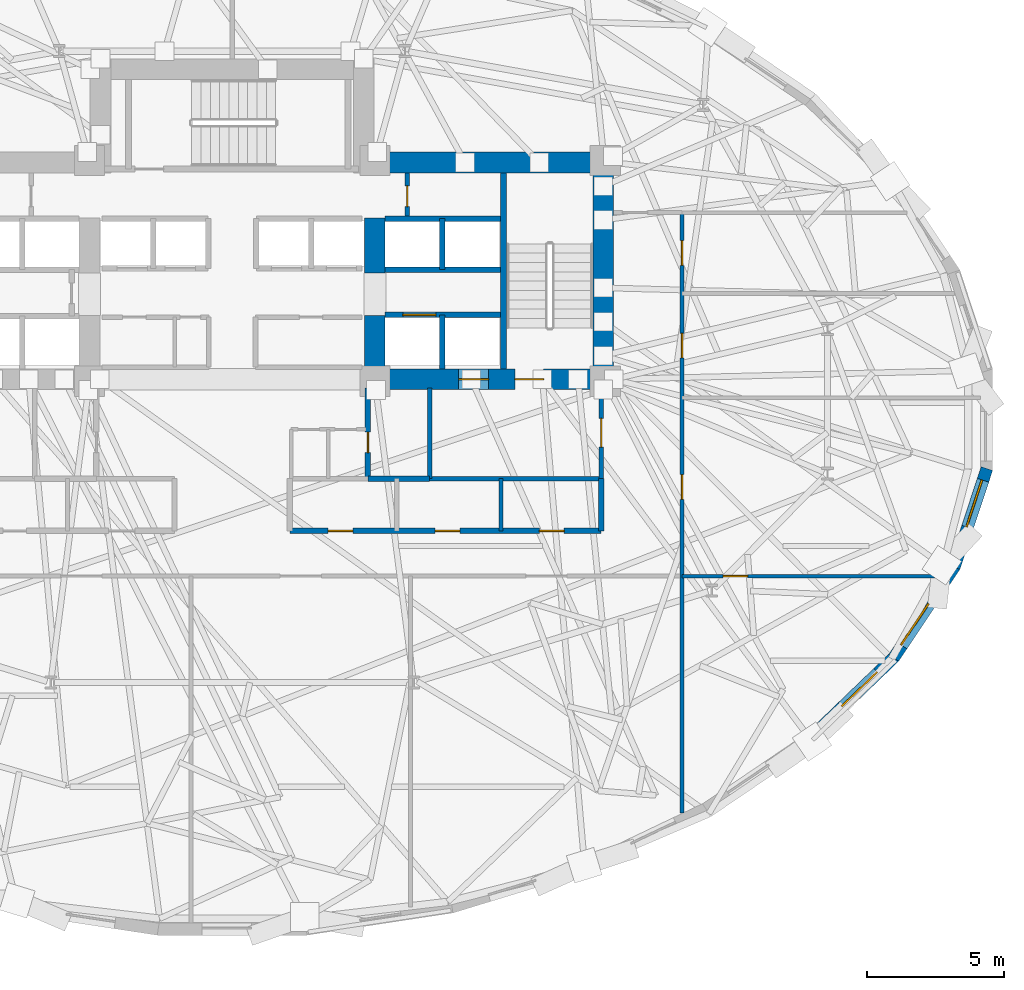
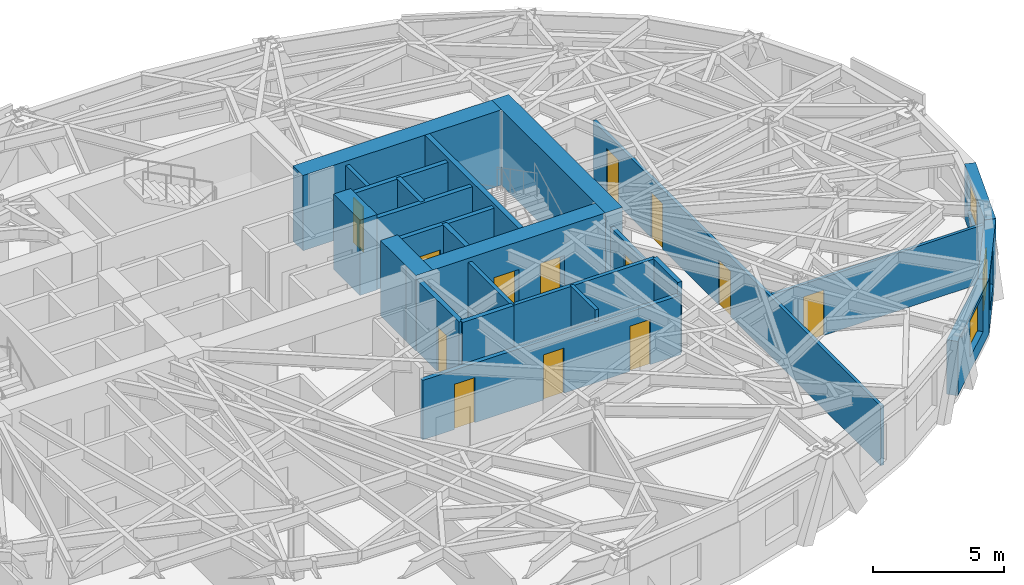
# One storey, part 9 of 15: 25 walls, 13 doors, 3 windows, 16 openings.
"""IFC4 building model written with IfcOpenShell, lengths in metres."""

from ifc_helpers import new_model, si_unit, direction, frame, frame_2d, origin, place, context, subcontext, project, spatial, rectangle, extrude, material, layer, layer_set, type_object, element, fill, save


model = new_model("IFC4")

# Units and contexts
model_context = context("Model", 3, precision=1e-05, world=origin(), true_north=direction((0.0, 1.0)))
body_context = subcontext(model_context, "Body", "Model", "MODEL_VIEW")
ifc_project = project(units=[si_unit("LENGTHUNIT", "METRE"), si_unit("AREAUNIT", "SQUARE_METRE"), si_unit("VOLUMEUNIT", "CUBIC_METRE"), si_unit("PLANEANGLEUNIT", "RADIAN"), si_unit("MASSUNIT", "GRAM", prefix="KILO")], contexts=[model_context])

# Site, building, storey
site_placement = place(None, origin())
site = spatial("IfcSite", under=ifc_project, at=site_placement, CompositionType="ELEMENT")
building_placement = place(site_placement, origin())
building = spatial("IfcBuilding", under=site, at=building_placement, Name="Keldmark Tower", CompositionType="ELEMENT")
storey_placement = place(building_placement, frame((0.0, 0.0, 110.60009765625)))
storey = spatial("IfcBuildingStorey", under=building, at=storey_placement, Name="L29", CompositionType="ELEMENT", Elevation=110.60009765625)

# Wall, openings, doors
ifc_material_1 = material(Name="Acoustic Double-Layer Gypsum Corridor Partition", Category="gypsum")
ifc_layer_1 = layer(ifc_material_1, 0.139892578125)
ifc_layer_set_1 = layer_set([ifc_layer_1], Name="Acoustic Double-Layer Gypsum Corridor Partition")
wall_type_1 = type_object("IfcWallType", Name="Acoustic Corridor Partition 140 mm", PredefinedType="PARTITIONING", material=ifc_layer_set_1)
wall_1_placement = place(storey_placement, frame((16.39990234375, -14.340576171875, 0.0), z_axis=(0.0, 0.0, 1.0), x_axis=(0.0, 1.0, 0.0)))
wall_1 = element("IfcWall", 1, at=wall_1_placement, inside=storey, type_object=wall_type_1, Name="L29 Acoustic Corridor Partition 140 mm COR-E", PredefinedType="PARTITIONING", context=body_context, shape_type="SweptSolid", body=[
    extrude(rectangle(XDim=21.890625, YDim=0.139892578125, at=frame_2d((10.9453125, 0.0))), origin(), (0.0, 0.0, 1.0), 2.762939453125),
])
opening_1_placement = place(wall_1_placement, frame((11.4404296875, 0.0, 0.0)))
opening_1 = element("IfcOpeningElement", 2, at=opening_1_placement, cuts=wall_1, Name="Opening D-IN090", PredefinedType="OPENING", context=body_context, shape_type="SweptSolid", body=[
    extrude(rectangle(XDim=0.89990234375, YDim=2.10009765625, at=frame_2d((0.449951171875, 1.050048828125))), frame((0.0, 0.079833984375, 0.0), z_axis=(0.0, -1.0, 0.0), x_axis=(1.0, 0.0, 0.0)), (0.0, 0.0, 1.0), 0.159912109375),
])
opening_2_placement = place(wall_1_placement, frame((16.59033203125, 0.0, 0.0)))
opening_2 = element("IfcOpeningElement", 3, at=opening_2_placement, cuts=wall_1, Name="Opening D-IN090", PredefinedType="OPENING", context=body_context, shape_type="SweptSolid", body=[
    extrude(rectangle(XDim=0.89990234375, YDim=2.10009765625, at=frame_2d((0.449951171875, 1.050048828125))), frame((0.0, 0.079833984375, 0.0), z_axis=(0.0, -1.0, 0.0), x_axis=(1.0, 0.0, 0.0)), (0.0, 0.0, 1.0), 0.159912109375),
])
opening_3_placement = place(wall_1_placement, frame((19.96533203125, 0.0, 0.0)))
opening_3 = element("IfcOpeningElement", 4, at=opening_3_placement, cuts=wall_1, Name="Opening D-IN090", PredefinedType="OPENING", context=body_context, shape_type="SweptSolid", body=[
    extrude(rectangle(XDim=0.89990234375, YDim=2.10009765625, at=frame_2d((0.449951171875, 1.050048828125))), frame((0.0, 0.079833984375, 0.0), z_axis=(0.0, -1.0, 0.0), x_axis=(1.0, 0.0, 0.0)), (0.0, 0.0, 1.0), 0.159912109375),
])
ifc_material_2 = material(Name="Stained American White Oak Veneer", Category="wood")
door_type_1 = type_object("IfcDoorType", Name="Interior Door 900x2100", OperationType="NOTDEFINED", PredefinedType="DOOR", material=ifc_material_2)
door_1_placement = place(opening_1_placement, origin())
door_1 = element("IfcDoor", 5, at=door_1_placement, inside=storey, type_object=door_type_1, Name="L29 Interior Door 900x2100 D-ER-1-L29", OperationType="SINGLE_SWING_RIGHT", OverallHeight=2.10009765625, OverallWidth=0.89990234375, PredefinedType="DOOR", context=body_context, shape_type="SweptSolid", body=[
    extrude(rectangle(XDim=0.89990234375, YDim=2.10009765625, at=frame_2d((0.449951171875, 1.050048828125))), frame((0.0, 0.02490234375, 0.0), z_axis=(0.0, -1.0, 0.0), x_axis=(1.0, 0.0, 0.0)), (0.0, 0.0, 1.0), 0.050048828125),
])
fill(opening_1, door_1)
door_2_placement = place(opening_2_placement, origin())
door_2 = element("IfcDoor", 6, at=door_2_placement, inside=storey, type_object=door_type_1, Name="L29 Interior Door 900x2100 D-ER-2-L29", OperationType="SINGLE_SWING_LEFT", OverallHeight=2.10009765625, OverallWidth=0.89990234375, PredefinedType="DOOR", context=body_context, shape_type="SweptSolid", body=[
    extrude(rectangle(XDim=0.89990234375, YDim=2.10009765625, at=frame_2d((0.449951171875, 1.050048828125))), frame((0.0, 0.02490234375, 0.0), z_axis=(0.0, -1.0, 0.0), x_axis=(1.0, 0.0, 0.0)), (0.0, 0.0, 1.0), 0.050048828125),
])
fill(opening_2, door_2)
door_3_placement = place(opening_3_placement, origin())
door_3 = element("IfcDoor", 7, at=door_3_placement, inside=storey, type_object=door_type_1, Name="L29 Interior Door 900x2100 D-ER-3-L29", OperationType="SINGLE_SWING_RIGHT", OverallHeight=2.10009765625, OverallWidth=0.89990234375, PredefinedType="DOOR", context=body_context, shape_type="SweptSolid", body=[
    extrude(rectangle(XDim=0.89990234375, YDim=2.10009765625, at=frame_2d((0.449951171875, 1.050048828125))), frame((0.0, 0.02490234375, 0.0), z_axis=(0.0, -1.0, 0.0), x_axis=(1.0, 0.0, 0.0)), (0.0, 0.0, 1.0), 0.050048828125),
])
fill(opening_3, door_3)

ifc_material_3 = material(Name="Heavy Acoustic Plumbing Chase Gypsum Assembly", Category="gypsum")
ifc_layer_2 = layer(ifc_material_3, 0.18994140625)
ifc_layer_set_2 = layer_set([ifc_layer_2], Name="Heavy Acoustic Plumbing Chase Gypsum Assembly")
wall_type_2 = type_object("IfcWallType", Name="Heavy Wet Wall 190 mm", PredefinedType="PLUMBINGWALL", material=ifc_layer_set_2)
wall_2_placement = place(storey_placement, frame((2.10009765625, -4.050048828125, 0.0), z_axis=(0.0, 0.0, 1.0), x_axis=(1.0, 0.0, 0.0)))
wall_2 = element("IfcWall", 8, at=wall_2_placement, inside=storey, type_object=wall_type_2, Name="L29 Heavy Wet Wall 190 mm SPK-E-S", PredefinedType="PLUMBINGWALL", context=body_context, shape_type="SweptSolid", body=[
    extrude(rectangle(XDim=11.349853515625, YDim=0.18994140625, at=frame_2d((5.6748046875, 0.0))), origin(), (0.0, 0.0, 1.0), 2.762939453125),
])
opening_4_placement = place(wall_2_placement, frame((1.39990234375, 0.0, 0.0)))
opening_4 = element("IfcOpeningElement", 9, at=opening_4_placement, cuts=wall_2, Name="Opening D-IN090", PredefinedType="OPENING", context=body_context, shape_type="SweptSolid", body=[
    extrude(rectangle(XDim=0.89990234375, YDim=2.10009765625, at=frame_2d((0.449951171875, 1.050048828125))), frame((0.0, 0.10498046875, 0.0), z_axis=(0.0, -1.0, 0.0), x_axis=(1.0, 0.0, 0.0)), (0.0, 0.0, 1.0), 0.2099609375),
])
opening_5_placement = place(wall_2_placement, frame((5.300048828125, 0.0, 0.0)))
opening_5 = element("IfcOpeningElement", 10, at=opening_5_placement, cuts=wall_2, Name="Opening D-IN090", PredefinedType="OPENING", context=body_context, shape_type="SweptSolid", body=[
    extrude(rectangle(XDim=0.89990234375, YDim=2.10009765625, at=frame_2d((0.449951171875, 1.050048828125))), frame((0.0, 0.10498046875, 0.0), z_axis=(0.0, -1.0, 0.0), x_axis=(1.0, 0.0, 0.0)), (0.0, 0.0, 1.0), 0.2099609375),
])
opening_6_placement = place(wall_2_placement, frame((9.10009765625, 0.0, 0.0)))
opening_6 = element("IfcOpeningElement", 11, at=opening_6_placement, cuts=wall_2, Name="Opening D-IN090", PredefinedType="OPENING", context=body_context, shape_type="SweptSolid", body=[
    extrude(rectangle(XDim=0.89990234375, YDim=2.10009765625, at=frame_2d((0.449951171875, 1.050048828125))), frame((0.0, 0.10498046875, 0.0), z_axis=(0.0, -1.0, 0.0), x_axis=(1.0, 0.0, 0.0)), (0.0, 0.0, 1.0), 0.2099609375),
])
door_4_placement = place(opening_4_placement, origin())
door_4 = element("IfcDoor", 12, at=door_4_placement, inside=storey, type_object=door_type_1, Name="L29 Interior Door 900x2100 D-SPKE1-L29", OperationType="SINGLE_SWING_RIGHT", OverallHeight=2.10009765625, OverallWidth=0.89990234375, PredefinedType="DOOR", context=body_context, shape_type="SweptSolid", body=[
    extrude(rectangle(XDim=0.89990234375, YDim=2.10009765625, at=frame_2d((0.449951171875, 1.050048828125))), frame((0.0, 0.02490234375, 0.0), z_axis=(0.0, -1.0, 0.0), x_axis=(1.0, 0.0, 0.0)), (0.0, 0.0, 1.0), 0.050048828125),
])
fill(opening_4, door_4)
door_5_placement = place(opening_5_placement, origin())
door_5 = element("IfcDoor", 13, at=door_5_placement, inside=storey, type_object=door_type_1, Name="L29 Interior Door 900x2100 D-SPKE2-L29", OperationType="SINGLE_SWING_LEFT", OverallHeight=2.10009765625, OverallWidth=0.89990234375, PredefinedType="DOOR", context=body_context, shape_type="SweptSolid", body=[
    extrude(rectangle(XDim=0.89990234375, YDim=2.10009765625, at=frame_2d((0.449951171875, 1.050048828125))), frame((0.0, 0.02490234375, 0.0), z_axis=(0.0, -1.0, 0.0), x_axis=(1.0, 0.0, 0.0)), (0.0, 0.0, 1.0), 0.050048828125),
])
fill(opening_5, door_5)
door_6_placement = place(opening_6_placement, origin())
door_6 = element("IfcDoor", 14, at=door_6_placement, inside=storey, type_object=door_type_1, Name="L29 Interior Door 900x2100 D-SPKE3-L29", OperationType="SINGLE_SWING_RIGHT", OverallHeight=2.10009765625, OverallWidth=0.89990234375, PredefinedType="DOOR", context=body_context, shape_type="SweptSolid", body=[
    extrude(rectangle(XDim=0.89990234375, YDim=2.10009765625, at=frame_2d((0.449951171875, 1.050048828125))), frame((0.0, 0.02490234375, 0.0), z_axis=(0.0, -1.0, 0.0), x_axis=(1.0, 0.0, 0.0)), (0.0, 0.0, 1.0), 0.050048828125),
])
fill(opening_6, door_6)

# Wall
wall_3_placement = place(storey_placement, frame((13.449951171875, -4.050048828125, 0.0), z_axis=(0.0, 0.0, 1.0), x_axis=(0.0, 1.0, 0.0)))
element("IfcWall", 15, at=wall_3_placement, inside=storey, type_object=wall_type_2, Name="L29 Heavy Wet Wall 190 mm SPK-E-E", PredefinedType="PLUMBINGWALL", context=body_context, shape_type="SweptSolid", body=[
    extrude(rectangle(XDim=1.900146484375, YDim=0.18994140625, at=frame_2d((0.9501953125, 0.0))), origin(), (0.0, 0.0, 1.0), 3.309814453125),
])

# Wall, opening, door
ifc_material_4 = material(Name="Acoustic Gypsum Board Interior Partition", Category="gypsum")
ifc_layer_3 = layer(ifc_material_4, 0.1298828125)
ifc_layer_set_3 = layer_set([ifc_layer_3], Name="Acoustic Gypsum Board Interior Partition")
wall_type_3 = type_object("IfcWallType", Name="Interior Partition 130 mm", PredefinedType="PARTITIONING", material=ifc_layer_set_3)
wall_4_placement = place(storey_placement, frame((16.39990234375, -5.699951171875, 0.0), z_axis=(0.0, 0.0, 1.0), x_axis=(1.0, 0.0, 0.0)))
wall_4 = element("IfcWall", 16, at=wall_4_placement, inside=storey, type_object=wall_type_3, Name="L29 Interior Partition 130 mm E-CAP-S", PredefinedType="PARTITIONING", context=body_context, shape_type="SweptSolid", body=[
    extrude(rectangle(XDim=9.4208984375, YDim=0.1298828125, at=frame_2d((4.71044921875, 0.0))), origin(), (0.0, 0.0, 1.0), 2.68798828125),
])
opening_7_placement = place(wall_4_placement, frame((1.489990234375, 0.0, 0.0)))
opening_7 = element("IfcOpeningElement", 17, at=opening_7_placement, cuts=wall_4, Name="Opening D-IN090", PredefinedType="OPENING", context=body_context, shape_type="SweptSolid", body=[
    extrude(rectangle(XDim=0.89990234375, YDim=2.10009765625, at=frame_2d((0.449951171875, 1.050048828125))), frame((0.0, 0.074951171875, 0.0), z_axis=(0.0, -1.0, 0.0), x_axis=(1.0, 0.0, 0.0)), (0.0, 0.0, 1.0), 0.14990234375),
])
door_7_placement = place(opening_7_placement, origin())
door_7 = element("IfcDoor", 18, at=door_7_placement, inside=storey, type_object=door_type_1, Name="L29 Interior Door 900x2100 D-ERSE-L29", OperationType="SINGLE_SWING_RIGHT", OverallHeight=2.10009765625, OverallWidth=0.89990234375, PredefinedType="DOOR", context=body_context, shape_type="SweptSolid", body=[
    extrude(rectangle(XDim=0.89990234375, YDim=2.10009765625, at=frame_2d((0.449951171875, 1.050048828125))), frame((0.0, 0.02490234375, 0.0), z_axis=(0.0, -1.0, 0.0), x_axis=(1.0, 0.0, 0.0)), (0.0, 0.0, 1.0), 0.050048828125),
])
fill(opening_7, door_7)

# Walls
ifc_material_5 = material(Name="Concrete C70/85", Category="concrete")
ifc_layer_4 = layer(ifc_material_5, 0.75)
ifc_layer_set_4 = layer_set([ifc_layer_4], Name="Concrete C70/85")
wall_type_4 = type_object("IfcWallType", Name="Low-Mid Core Shear Wall 750 mm", PredefinedType="SHEAR", material=ifc_layer_set_4)
wall_5_placement = place(storey_placement, frame((13.52490234375, 1.10009765625, 0.0), z_axis=(0.0, 0.0, 1.0), x_axis=(0.0, 1.0, 0.0)))
element("IfcWall", 19, at=wall_5_placement, inside=storey, type_object=wall_type_4, Name="L29 East Core Outer Shear Wall", PredefinedType="SHEAR", context=body_context, shape_type="SweptSolid", body=[
    extrude(rectangle(XDim=8.64990234375, YDim=0.75, at=frame_2d((4.324951171875, 0.0))), origin(), (0.0, 0.0, 1.0), 3.5),
])
wall_6_placement = place(storey_placement, frame((4.425048828125, 9.375, 0.0), z_axis=(0.0, 0.0, 1.0), x_axis=(1.0, 0.0, 0.0)))
element("IfcWall", 20, at=wall_6_placement, inside=storey, type_object=wall_type_4, Name="L29 East Core North Shear Wall", PredefinedType="SHEAR", context=body_context, shape_type="SweptSolid", body=[
    extrude(rectangle(XDim=9.474853515625, YDim=0.75, at=frame_2d((4.7373046875, 0.0))), origin(), (0.0, 0.0, 1.0), 3.5),
])

# Wall, openings, doors
wall_7_placement = place(storey_placement, frame((13.89990234375, 1.47509765625, 0.0), z_axis=(0.0, 0.0, 1.0), x_axis=(-1.0, 0.0, 0.0)))
wall_7 = element("IfcWall", 21, at=wall_7_placement, inside=storey, type_object=wall_type_4, Name="L29 East Core South Shear Wall", PredefinedType="SHEAR", context=body_context, shape_type="SweptSolid", body=[
    extrude(rectangle(XDim=9.074951171875, YDim=0.75, at=frame_2d((4.53759765625, 0.0))), origin(), (0.0, 0.0, 1.0), 3.5),
])
opening_8_placement = place(wall_7_placement, frame((2.550048828125, 0.0, 0.0)))
opening_8 = element("IfcOpeningElement", 22, at=opening_8_placement, cuts=wall_7, Name="Opening D-ST105", PredefinedType="OPENING", context=body_context, shape_type="SweptSolid", body=[
    extrude(rectangle(XDim=1.050048828125, YDim=2.14990234375, at=frame_2d((0.52490234375, 1.074951171875))), frame((0.0, 0.385009765625, 0.0), z_axis=(0.0, -1.0, 0.0), x_axis=(1.0, 0.0, 0.0)), (0.0, 0.0, 1.0), 0.77001953125),
])
opening_9_placement = place(wall_7_placement, frame((4.550048828125, 0.0, 0.0)))
opening_9 = element("IfcOpeningElement", 23, at=opening_9_placement, cuts=wall_7, Name="Opening LD-110", PredefinedType="OPENING", context=body_context, shape_type="SweptSolid", body=[
    extrude(rectangle(XDim=1.10009765625, YDim=2.199951171875, at=frame_2d((0.550048828125, 1.10009765625))), frame((0.0, 0.385009765625, 0.0), z_axis=(0.0, -1.0, 0.0), x_axis=(1.0, 0.0, 0.0)), (0.0, 0.0, 1.0), 0.77001953125),
])
ifc_material_6 = material(Name="Brushed Bronze Hoistway Sliding Leaf", Category="metal")
door_type_2 = type_object("IfcDoorType", Name="Lift Landing Sliding Door 1100x2200", OperationType="SLIDING_TO_LEFT", PredefinedType="DOOR", material=ifc_material_6)
door_8_placement = place(opening_9_placement, origin())
door_8 = element("IfcDoor", 24, at=door_8_placement, inside=storey, type_object=door_type_2, Name="L29 Lift Landing Sliding Door 1100x2200 LD-EL-FS2-L29", OperationType="SLIDING_TO_LEFT", OverallHeight=2.199951171875, OverallWidth=1.10009765625, PredefinedType="DOOR", context=body_context, shape_type="SweptSolid", body=[
    extrude(rectangle(XDim=1.10009765625, YDim=2.199951171875, at=frame_2d((0.550048828125, 1.10009765625))), frame((0.0, 0.02490234375, 0.0), z_axis=(0.0, -1.0, 0.0), x_axis=(1.0, 0.0, 0.0)), (0.0, 0.0, 1.0), 0.050048828125),
])
fill(opening_9, door_8)
ifc_material_7 = material(Name="Hollow Metal Fire-Rated Door Assembly", Category="metal")
door_type_3 = type_object("IfcDoorType", Name="Stair Fire Door 1050x2150", OperationType="NOTDEFINED", PredefinedType="DOOR", material=ifc_material_7)
door_9_placement = place(opening_8_placement, origin())
door_9 = element("IfcDoor", 25, at=door_9_placement, inside=storey, type_object=door_type_3, Name="L29 Stair Fire Door 1050x2150 D-ST2-L29", OperationType="SINGLE_SWING_LEFT", OverallHeight=2.14990234375, OverallWidth=1.050048828125, PredefinedType="DOOR", context=body_context, shape_type="SweptSolid", body=[
    extrude(rectangle(XDim=1.050048828125, YDim=2.14990234375, at=frame_2d((0.52490234375, 1.074951171875))), frame((0.0, 0.02490234375, 0.0), z_axis=(0.0, -1.0, 0.0), x_axis=(1.0, 0.0, 0.0)), (0.0, 0.0, 1.0), 0.050048828125),
])
fill(opening_8, door_9)

# Walls
wall_8_placement = place(storey_placement, frame((5.199951171875, 1.10009765625, 0.0), z_axis=(0.0, 0.0, 1.0), x_axis=(0.0, 1.0, 0.0)))
element("IfcWall", 26, at=wall_8_placement, inside=storey, type_object=wall_type_4, Name="L29 East Core Inner Shear Pier South", PredefinedType="SHEAR", context=body_context, shape_type="SweptSolid", body=[
    extrude(rectangle(XDim=2.699951171875, YDim=0.75, at=frame_2d((1.35009765625, 0.0))), origin(), (0.0, 0.0, 1.0), 3.5),
])
wall_9_placement = place(storey_placement, frame((5.199951171875, 5.35009765625, 0.0), z_axis=(0.0, 0.0, 1.0), x_axis=(0.0, 1.0, 0.0)))
element("IfcWall", 27, at=wall_9_placement, inside=storey, type_object=wall_type_4, Name="L29 East Core Inner Shear Pier North", PredefinedType="SHEAR", context=body_context, shape_type="SweptSolid", body=[
    extrude(rectangle(XDim=2.0, YDim=0.75, at=frame_2d((1.0, 0.0))), origin(), (0.0, 0.0, 1.0), 3.5),
])
ifc_material_8 = material(Name="Type X Fire-Rated Gypsum Partition Assembly", Category="gypsum")
ifc_layer_5 = layer(ifc_material_8, 0.1650390625)
ifc_layer_set_5 = layer_set([ifc_layer_5], Name="Type X Fire-Rated Gypsum Partition Assembly")
wall_type_5 = type_object("IfcWallType", Name="Rated Partition 165 mm", PredefinedType="PARTITIONING", material=ifc_layer_set_5)
wall_10_placement = place(storey_placement, frame((7.199951171875, -2.14990234375, 0.0), z_axis=(0.0, 0.0, 1.0), x_axis=(1.0, 0.0, 0.0)))
element("IfcWall", 28, at=wall_10_placement, inside=storey, type_object=wall_type_5, Name="L29 Rated Partition 165 mm FSAE-E-S", PredefinedType="PARTITIONING", context=body_context, shape_type="SweptSolid", body=[
    extrude(rectangle(XDim=6.25, YDim=0.1650390625, at=frame_2d((3.125, 0.0))), origin(), (0.0, 0.0, 1.0), 3.309814453125),
])
wall_11_placement = place(storey_placement, frame((7.199951171875, -2.14990234375, 0.0), z_axis=(0.0, 0.0, 1.0), x_axis=(0.0, 1.0, 0.0)))
element("IfcWall", 29, at=wall_11_placement, inside=storey, type_object=wall_type_5, Name="L29 Rated Partition 165 mm FSAE-E-W", PredefinedType="PARTITIONING", context=body_context, shape_type="SweptSolid", body=[
    extrude(rectangle(XDim=3.2998046875, YDim=0.1650390625, at=frame_2d((1.64990234375, 0.0))), origin(), (0.0, 0.0, 1.0), 3.309814453125),
])

# Wall, opening, door
wall_12_placement = place(storey_placement, frame((13.449951171875, -2.14990234375, 0.0), z_axis=(0.0, 0.0, 1.0), x_axis=(0.0, 1.0, 0.0)))
wall_12 = element("IfcWall", 30, at=wall_12_placement, inside=storey, type_object=wall_type_5, Name="L29 Rated Partition 165 mm FSAE-E-E", PredefinedType="PARTITIONING", context=body_context, shape_type="SweptSolid", body=[
    extrude(rectangle(XDim=3.2998046875, YDim=0.1650390625, at=frame_2d((1.64990234375, 0.0))), origin(), (0.0, 0.0, 1.0), 2.762939453125),
])
opening_10_placement = place(wall_12_placement, frame((1.14990234375, 0.0, 0.0)))
opening_10 = element("IfcOpeningElement", 31, at=opening_10_placement, cuts=wall_12, Name="Opening D-FL105", PredefinedType="OPENING", context=body_context, shape_type="SweptSolid", body=[
    extrude(rectangle(XDim=1.050048828125, YDim=2.14990234375, at=frame_2d((0.52490234375, 1.074951171875))), frame((0.0, 0.092529296875, 0.0), z_axis=(0.0, -1.0, 0.0), x_axis=(1.0, 0.0, 0.0)), (0.0, 0.0, 1.0), 0.18505859375),
])
ifc_material_9 = material(Name="Fire-Rated Mineral-Core Door and Vision Lite", Category="metal")
door_type_4 = type_object("IfcDoorType", Name="Fire Lobby Door 1050x2150", OperationType="NOTDEFINED", PredefinedType="DOOR", material=ifc_material_9)
door_10_placement = place(opening_10_placement, origin())
door_10 = element("IfcDoor", 32, at=door_10_placement, inside=storey, type_object=door_type_4, Name="L29 Fire Lobby Door 1050x2150 D-FSAEE-OUT-L29", OperationType="SINGLE_SWING_LEFT", OverallHeight=2.14990234375, OverallWidth=1.050048828125, PredefinedType="DOOR", context=body_context, shape_type="SweptSolid", body=[
    extrude(rectangle(XDim=1.050048828125, YDim=2.14990234375, at=frame_2d((0.52490234375, 1.074951171875))), frame((0.0, 0.02490234375, 0.0), z_axis=(0.0, -1.0, 0.0), x_axis=(1.0, 0.0, 0.0)), (0.0, 0.0, 1.0), 0.050048828125),
])
fill(opening_10, door_10)

wall_13_placement = place(storey_placement, frame((6.3798828125, 7.419921875, 0.0), z_axis=(0.0, 0.0, 1.0), x_axis=(0.0, 1.0, 0.0)))
wall_13 = element("IfcWall", 33, at=wall_13_placement, inside=storey, type_object=wall_type_5, Name="L29 Rated Partition 165 mm CS-NE-W", PredefinedType="PARTITIONING", context=body_context, shape_type="SweptSolid", body=[
    extrude(rectangle(XDim=1.580078125, YDim=0.1650390625, at=frame_2d((0.7900390625, 0.0))), origin(), (0.0, 0.0, 1.0), 3.309814453125),
])
opening_11_placement = place(wall_13_placement, frame((0.35009765625, 0.0, 0.0)))
opening_11 = element("IfcOpeningElement", 34, at=opening_11_placement, cuts=wall_13, Name="Opening D-RS075", PredefinedType="OPENING", context=body_context, shape_type="SweptSolid", body=[
    extrude(rectangle(XDim=0.75, YDim=2.10009765625, at=frame_2d((0.375, 1.050048828125))), frame((0.0, 0.092529296875, 0.0), z_axis=(0.0, -1.0, 0.0), x_axis=(1.0, 0.0, 0.0)), (0.0, 0.0, 1.0), 0.18505859375),
])
ifc_material_10 = material(Name="Galvanized Fire-Rated Access Leaf", Category="metal")
door_type_5 = type_object("IfcDoorType", Name="Riser Access Door 750x2100", OperationType="NOTDEFINED", PredefinedType="DOOR", material=ifc_material_10)
door_11_placement = place(opening_11_placement, origin())
door_11 = element("IfcDoor", 35, at=door_11_placement, inside=storey, type_object=door_type_5, Name="L29 Riser Access Door 750x2100 D-CSNE1-L29", OperationType="SINGLE_SWING_LEFT", OverallHeight=2.10009765625, OverallWidth=0.75, PredefinedType="DOOR", context=body_context, shape_type="SweptSolid", body=[
    extrude(rectangle(XDim=0.75, YDim=2.10009765625, at=frame_2d((0.375, 1.050048828125))), frame((0.0, 0.02490234375, 0.0), z_axis=(0.0, -1.0, 0.0), x_axis=(1.0, 0.0, 0.0)), (0.0, 0.0, 1.0), 0.050048828125),
])
fill(opening_11, door_11)

# Wall
ifc_material_11 = material(Name="Fire-Resistant Type X Gypsum Shaftliner Coreboard", Category="gypsum")
ifc_layer_6 = layer(ifc_material_11, 0.199951171875)
ifc_layer_set_6 = layer_set([ifc_layer_6], Name="Fire-Resistant Type X Gypsum Shaftliner Coreboard")
wall_type_6 = type_object("IfcWallType", Name="Shaft Wall 200 mm", PredefinedType="SOLIDWALL", material=ifc_layer_set_6)
wall_14_placement = place(storey_placement, frame((4.949951171875, -2.14990234375, 0.0), z_axis=(0.0, 0.0, 1.0), x_axis=(1.0, 0.0, 0.0)))
element("IfcWall", 36, at=wall_14_placement, inside=storey, type_object=wall_type_6, Name="L29 Shaft Wall 200 mm RIS-SE-S", PredefinedType="SOLIDWALL", context=body_context, shape_type="SweptSolid", body=[
    extrude(rectangle(XDim=2.25, YDim=0.199951171875, at=frame_2d((1.125, 0.0))), origin(), (0.0, 0.0, 1.0), 3.309814453125),
])

# Wall, opening, door
wall_15_placement = place(storey_placement, frame((4.949951171875, -2.14990234375, 0.0), z_axis=(0.0, 0.0, 1.0), x_axis=(0.0, 1.0, 0.0)))
wall_15 = element("IfcWall", 37, at=wall_15_placement, inside=storey, type_object=wall_type_6, Name="L29 Shaft Wall 200 mm RIS-SE-W", PredefinedType="SOLIDWALL", context=body_context, shape_type="SweptSolid", body=[
    extrude(rectangle(XDim=3.2998046875, YDim=0.199951171875, at=frame_2d((1.64990234375, 0.0))), origin(), (0.0, 0.0, 1.0), 3.309814453125),
])
opening_12_placement = place(wall_15_placement, frame((0.949951171875, 0.0, 0.0)))
opening_12 = element("IfcOpeningElement", 38, at=opening_12_placement, cuts=wall_15, Name="Opening D-RS075", PredefinedType="OPENING", context=body_context, shape_type="SweptSolid", body=[
    extrude(rectangle(XDim=0.75, YDim=2.10009765625, at=frame_2d((0.375, 1.050048828125))), frame((0.0, 0.10986328125, 0.0), z_axis=(0.0, -1.0, 0.0), x_axis=(1.0, 0.0, 0.0)), (0.0, 0.0, 1.0), 0.219970703125),
])
door_12_placement = place(opening_12_placement, origin())
door_12 = element("IfcDoor", 39, at=door_12_placement, inside=storey, type_object=door_type_5, Name="L29 Riser Access Door 750x2100 D-RISSE-L29", OperationType="SINGLE_SWING_LEFT", OverallHeight=2.10009765625, OverallWidth=0.75, PredefinedType="DOOR", context=body_context, shape_type="SweptSolid", body=[
    extrude(rectangle(XDim=0.75, YDim=2.10009765625, at=frame_2d((0.375, 1.050048828125))), frame((0.0, 0.02490234375, 0.0), z_axis=(0.0, -1.0, 0.0), x_axis=(1.0, 0.0, 0.0)), (0.0, 0.0, 1.0), 0.050048828125),
])
fill(opening_12, door_12)

wall_16_placement = place(storey_placement, frame((5.574951171875, 3.820068359375, 0.0), z_axis=(0.0, 0.0, 1.0), x_axis=(1.0, 0.0, 0.0)))
wall_16 = element("IfcWall", 40, at=wall_16_placement, inside=storey, type_object=wall_type_6, Name="L29 Shaft Wall 200 mm HW-E-S", PredefinedType="SOLIDWALL", context=body_context, shape_type="SweptSolid", body=[
    extrude(rectangle(XDim=4.205078125, YDim=0.199951171875, at=frame_2d((2.1025390625, 0.0))), origin(), (0.0, 0.0, 1.0), 3.309814453125),
])
opening_13_placement = place(wall_16_placement, frame((0.64990234375, 0.0, 0.0)))
opening_13 = element("IfcOpeningElement", 41, at=opening_13_placement, cuts=wall_16, Name="Opening LD-120", PredefinedType="OPENING", context=body_context, shape_type="SweptSolid", body=[
    extrude(rectangle(XDim=1.199951171875, YDim=2.199951171875, at=frame_2d((0.60009765625, 1.10009765625))), frame((0.0, 0.10986328125, 0.0), z_axis=(0.0, -1.0, 0.0), x_axis=(1.0, 0.0, 0.0)), (0.0, 0.0, 1.0), 0.219970703125),
])
ifc_material_12 = material(Name="Heavy-Duty Brushed Metal Hoistway Sliding Leaf", Category="metal")
door_type_6 = type_object("IfcDoorType", Name="Service Lift Sliding Door 1200x2200", OperationType="SLIDING_TO_RIGHT", PredefinedType="DOOR", material=ifc_material_12)
door_13_placement = place(opening_13_placement, origin())
door_13 = element("IfcDoor", 42, at=door_13_placement, inside=storey, type_object=door_type_6, Name="L29 Service Lift Sliding Door 1200x2200 LD-EL-SV1-L29", OperationType="SLIDING_TO_RIGHT", OverallHeight=2.199951171875, OverallWidth=1.199951171875, PredefinedType="DOOR", context=body_context, shape_type="SweptSolid", body=[
    extrude(rectangle(XDim=1.199951171875, YDim=2.199951171875, at=frame_2d((0.60009765625, 1.10009765625))), frame((0.0, 0.02490234375, 0.0), z_axis=(0.0, -1.0, 0.0), x_axis=(1.0, 0.0, 0.0)), (0.0, 0.0, 1.0), 0.050048828125),
])
fill(opening_13, door_13)

# Walls
wall_17_placement = place(storey_placement, frame((7.64990234375, 1.85009765625, 0.0), z_axis=(0.0, 0.0, 1.0), x_axis=(0.0, 1.0, 0.0)))
element("IfcWall", 43, at=wall_17_placement, inside=storey, type_object=wall_type_6, Name="L29 Shaft Wall 200 mm HW-E-M", PredefinedType="SOLIDWALL", context=body_context, shape_type="SweptSolid", body=[
    extrude(rectangle(XDim=1.969970703125, YDim=0.199951171875, at=frame_2d((0.98486328125, 0.0))), origin(), (0.0, 0.0, 1.0), 3.309814453125),
])
for number, where, z_axis, x_axis, name in (
    (44, (5.574951171875, 5.469970703125, 0.0), (0.0, 0.0, 1.0), (1.0, 0.0, 0.0), "L29 Shaft Wall 200 mm HW-E-N"),
    (45, (5.574951171875, 7.330078125, 0.0), (0.0, 0.0, 1.0), (1.0, 0.0, 0.0), "L29 Shaft Wall 200 mm HW-E-TOP"),
):
    element("IfcWall", number, at=place(storey_placement, frame(where, z_axis=z_axis, x_axis=x_axis)), inside=storey, type_object=wall_type_6, Name=name, PredefinedType="SOLIDWALL", context=body_context, shape_type="SweptSolid", body=[
        extrude(rectangle(XDim=4.205078125, YDim=0.199951171875, at=frame_2d((2.1025390625, 0.0))), origin(), (0.0, 0.0, 1.0), 3.309814453125),
    ])
wall_18_placement = place(storey_placement, frame((7.64990234375, 5.469970703125, 0.0), z_axis=(0.0, 0.0, 1.0), x_axis=(0.0, 1.0, 0.0)))
element("IfcWall", 46, at=wall_18_placement, inside=storey, type_object=wall_type_6, Name="L29 Shaft Wall 200 mm HW-E-NM", PredefinedType="SOLIDWALL", context=body_context, shape_type="SweptSolid", body=[
    extrude(rectangle(XDim=1.860107421875, YDim=0.199951171875, at=frame_2d((0.93017578125, 0.0))), origin(), (0.0, 0.0, 1.0), 3.309814453125),
])
ifc_material_13 = material(Name="Concrete C50/60", Category="concrete")
ifc_layer_7 = layer(ifc_material_13, 0.219970703125)
ifc_layer_set_7 = layer_set([ifc_layer_7], Name="Concrete C50/60")
wall_type_7 = type_object("IfcWallType", Name="Stair Core Shear Wall 220 mm", PredefinedType="SHEAR", material=ifc_layer_set_7)
wall_19_placement = place(storey_placement, frame((9.889892578125, 1.85009765625, 0.0), z_axis=(0.0, 0.0, 1.0), x_axis=(0.0, 1.0, 0.0)))
element("IfcWall", 47, at=wall_19_placement, inside=storey, type_object=wall_type_7, Name="L29 East Stair Core Shear Wall", PredefinedType="SHEAR", context=body_context, shape_type="SweptSolid", body=[
    extrude(rectangle(XDim=7.14990234375, YDim=0.219970703125, at=frame_2d((3.574951171875, 0.0))), origin(), (0.0, 0.0, 1.0), 3.5),
])

# Wall, opening, window
ifc_material_14 = material(Name="Ironspot Manganese Brick and Kasota Buff Limestone Spandrel Assembly", Category="masonry")
ifc_layer_8 = layer(ifc_material_14, 0.43994140625)
ifc_layer_set_8 = layer_set([ifc_layer_8], Name="Ironspot Manganese Brick and Kasota Buff Limestone Spandrel Assembly")
wall_type_8 = type_object("IfcWallType", Name="Tower Brick Pier and Spandrel Wall 440 mm", PredefinedType="STANDARD", material=ifc_layer_set_8)
wall_20_placement = place(storey_placement, frame((24.140380859375, -8.643798828125, 0.0), z_axis=(0.0, 0.0, 1.0), x_axis=(-0.720581378362, -0.693370375166, 0.0)))
wall_20 = element("IfcWall", 48, at=wall_20_placement, inside=storey, type_object=wall_type_8, Name="L29 Exterior Brick and Spandrel Wall 29", PredefinedType="STANDARD", context=body_context, shape_type="SweptSolid", body=[
    extrude(rectangle(XDim=4.306640625, YDim=0.43994140625, at=frame_2d((2.1533203125, 0.0))), origin(), (0.0, 0.0, 1.0), 2.52783203125),
])
opening_14_placement = place(wall_20_placement, frame((0.8369140625, 0.0, 0.64990234375)))
opening_14 = element("IfcOpeningElement", 49, at=opening_14_placement, cuts=wall_20, Name="Opening W-02", PredefinedType="OPENING", context=body_context, shape_type="SweptSolid", body=[
    extrude(rectangle(XDim=1.800048828125, YDim=1.699951171875, at=frame_2d((0.89990234375, 0.85009765625))), frame((0.0, 0.22998046875, 0.0), z_axis=(0.0, -1.0, 0.0), x_axis=(1.0, 0.0, 0.0)), (0.0, 0.0, 1.0), 0.4599609375),
])
ifc_material_15 = material(Name="Thermally Broken Anodized Aluminum and Triple Low-E Argon Glazing", Category="aluminium")
window_type = type_object("IfcWindowType", Name="Office Deep-Set Triple Window 1800x1700", PartitioningType="TRIPLE_PANEL_VERTICAL", PredefinedType="WINDOW", material=ifc_material_15)
window_1_placement = place(opening_14_placement, origin())
window_1 = element("IfcWindow", 50, at=window_1_placement, inside=storey, type_object=window_type, Name="L29 Deep-Set Window 29", OverallHeight=1.699951171875, OverallWidth=1.800048828125, PartitioningType="SINGLE_PANEL", PredefinedType="WINDOW", context=body_context, shape_type="SweptSolid", body=[
    extrude(rectangle(XDim=1.800048828125, YDim=1.699951171875, at=frame_2d((0.89990234375, 0.85009765625))), frame((0.0, -0.010009765625, 0.0), z_axis=(0.0, -1.0, 0.0), x_axis=(1.0, 0.0, 0.0)), (0.0, 0.0, 1.0), 0.06005859375),
])
fill(opening_14, window_1)

wall_21_placement = place(storey_placement, frame((26.339599609375, -5.332275390625, 0.0), z_axis=(0.0, 0.0, 1.0), x_axis=(-0.554293965046, -0.83232097193, 0.0)))
wall_21 = element("IfcWall", 51, at=wall_21_placement, inside=storey, type_object=wall_type_8, Name="L29 Exterior Brick and Spandrel Wall 30", PredefinedType="STANDARD", context=body_context, shape_type="SweptSolid", body=[
    extrude(rectangle(XDim=4.022705078125, YDim=0.43994140625, at=frame_2d((2.01123046875, 0.0))), origin(), (0.0, 0.0, 1.0), 2.52783203125),
])
opening_15_placement = place(wall_21_placement, frame((1.677978515625, 0.0, 0.64990234375)))
opening_15 = element("IfcOpeningElement", 52, at=opening_15_placement, cuts=wall_21, Name="Opening W-02", PredefinedType="OPENING", context=body_context, shape_type="SweptSolid", body=[
    extrude(rectangle(XDim=1.800048828125, YDim=1.699951171875, at=frame_2d((0.89990234375, 0.85009765625))), frame((0.0, 0.22998046875, 0.0), z_axis=(0.0, -1.0, 0.0), x_axis=(1.0, 0.0, 0.0)), (0.0, 0.0, 1.0), 0.4599609375),
])
window_2_placement = place(opening_15_placement, origin())
window_2 = element("IfcWindow", 53, at=window_2_placement, inside=storey, type_object=window_type, Name="L29 Deep-Set Window 30", OverallHeight=1.699951171875, OverallWidth=1.800048828125, PartitioningType="SINGLE_PANEL", PredefinedType="WINDOW", context=body_context, shape_type="SweptSolid", body=[
    extrude(rectangle(XDim=1.800048828125, YDim=1.699951171875, at=frame_2d((0.89990234375, 0.85009765625))), frame((0.0, -0.010009765625, 0.0), z_axis=(0.0, -1.0, 0.0), x_axis=(1.0, 0.0, 0.0)), (0.0, 0.0, 1.0), 0.06005859375),
])
fill(opening_15, window_2)

wall_22_placement = place(storey_placement, frame((27.5068359375, -1.781494140625, 0.0), z_axis=(0.0, 0.0, 1.0), x_axis=(-0.314316911692, -0.94931811266, 0.0)))
wall_22 = element("IfcWall", 54, at=wall_22_placement, inside=storey, type_object=wall_type_8, Name="L29 Exterior Brick and Spandrel Wall 31", PredefinedType="STANDARD", context=body_context, shape_type="SweptSolid", body=[
    extrude(rectangle(XDim=3.7958984375, YDim=0.43994140625, at=frame_2d((1.89794921875, 0.0))), origin(), (0.0, 0.0, 1.0), 2.531982421875),
])
opening_16_placement = place(wall_22_placement, frame((0.449462890625, 0.0, 0.64990234375)))
opening_16 = element("IfcOpeningElement", 55, at=opening_16_placement, cuts=wall_22, Name="Opening W-02", PredefinedType="OPENING", context=body_context, shape_type="SweptSolid", body=[
    extrude(rectangle(XDim=1.800048828125, YDim=1.699951171875, at=frame_2d((0.89990234375, 0.85009765625))), frame((0.0, 0.22998046875, 0.0), z_axis=(0.0, -1.0, 0.0), x_axis=(1.0, 0.0, 0.0)), (0.0, 0.0, 1.0), 0.4599609375),
])
window_3_placement = place(opening_16_placement, origin())
window_3 = element("IfcWindow", 56, at=window_3_placement, inside=storey, type_object=window_type, Name="L29 Deep-Set Window 31", OverallHeight=1.699951171875, OverallWidth=1.800048828125, PartitioningType="SINGLE_PANEL", PredefinedType="WINDOW", context=body_context, shape_type="SweptSolid", body=[
    extrude(rectangle(XDim=1.800048828125, YDim=1.699951171875, at=frame_2d((0.89990234375, 0.85009765625))), frame((0.0, -0.010009765625, 0.0), z_axis=(0.0, -1.0, 0.0), x_axis=(1.0, 0.0, 0.0)), (0.0, 0.0, 1.0), 0.06005859375),
])
fill(opening_16, window_3)

# Wall
ifc_material_16 = material(Name="Moisture-Resistant Gypsum Plumbing Partition", Category="gypsum")
ifc_layer_9 = layer(ifc_material_16, 0.14990234375)
ifc_layer_set_9 = layer_set([ifc_layer_9], Name="Moisture-Resistant Gypsum Plumbing Partition")
wall_type_9 = type_object("IfcWallType", Name="Wet Wall 150 mm", PredefinedType="PLUMBINGWALL", material=ifc_layer_set_9)
wall_23_placement = place(storey_placement, frame((9.800048828125, -4.050048828125, 0.0), z_axis=(0.0, 0.0, 1.0), x_axis=(0.0, 1.0, 0.0)))
element("IfcWall", 57, at=wall_23_placement, inside=storey, type_object=wall_type_9, Name="L29 Wet Wall 150 mm SPK-E-D2", PredefinedType="PLUMBINGWALL", context=body_context, shape_type="SweptSolid", body=[
    extrude(rectangle(XDim=1.900146484375, YDim=0.14990234375, at=frame_2d((0.9501953125, 0.0))), origin(), (0.0, 0.0, 1.0), 3.309814453125),
])

save(model, "model.ifc")
